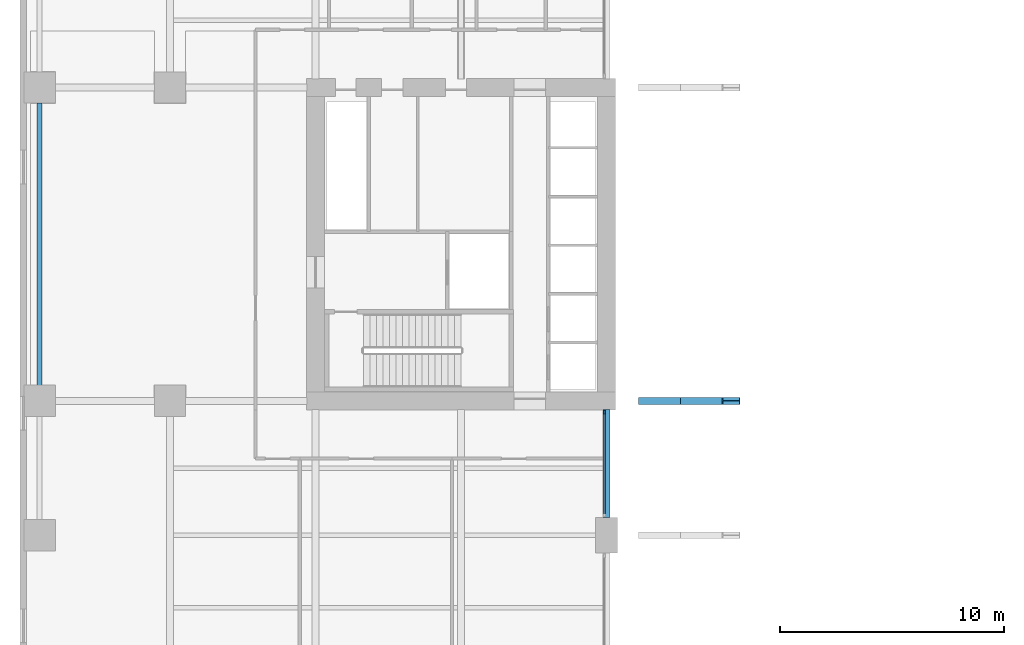
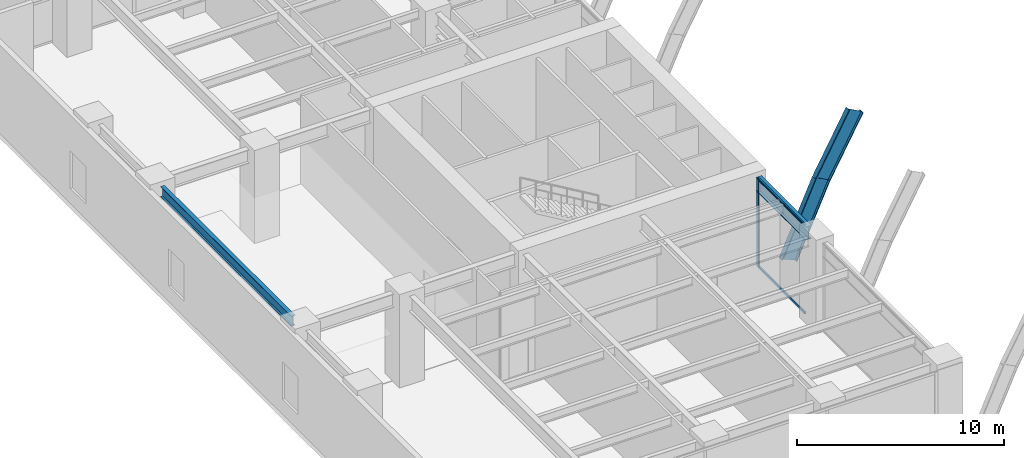
# One storey, part 3 of 17: 5 members, 2 beams, 1 element without a shape of its own.
"""IFC4 building model written with IfcOpenShell, lengths in metres."""

from ifc_helpers import new_model, si_unit, direction, frame, origin, origin_2d, place, context, subcontext, project, spatial, rectangle, i_section, extrude, material, layer, layer_set, material_profile, profile_set, type_object, element, aggregate, save


model = new_model("IFC4")

# Units and contexts
model_context = context("Model", 3, precision=1e-05, world=origin(), true_north=direction((0.0, 1.0)))
body_context = subcontext(model_context, "Body", "Model", "MODEL_VIEW")
ifc_project = project(units=[si_unit("LENGTHUNIT", "METRE"), si_unit("AREAUNIT", "SQUARE_METRE"), si_unit("VOLUMEUNIT", "CUBIC_METRE"), si_unit("PLANEANGLEUNIT", "RADIAN"), si_unit("MASSUNIT", "GRAM", prefix="KILO")], contexts=[model_context])

# Site, building, storey
site_placement = place(None, origin())
site = spatial("IfcSite", under=ifc_project, at=site_placement, CompositionType="ELEMENT")
building_placement = place(site_placement, origin())
building = spatial("IfcBuilding", under=site, at=building_placement, Name="Putna Gate Headquarters", CompositionType="ELEMENT")
storey_placement = place(building_placement, frame((0.0, 0.0, 6.0)))
storey = spatial("IfcBuildingStorey", under=building, at=storey_placement, Name="L01", CompositionType="ELEMENT", Elevation=6.0)

# Beams
ifc_material_1 = material(Name="Steel S355J2", Category="steel")
ifc_material_profile_1 = material_profile(ifc_material_1, i_section(OverallWidth=0.300048828125, OverallDepth=0.800048828125, WebThickness=0.017578125, FlangeThickness=0.032958984375, at=origin_2d()), Name="Steel S355J2")
ifc_profile_set_1 = profile_set([ifc_material_profile_1], Name="Steel S355J2")
beam_type_1 = type_object("IfcBeamType", Name="BM-GIRD-P-HEB800", PredefinedType="USERDEFINED", material=ifc_profile_set_1)
beam_1_placement = place(storey_placement, frame((26.0, 13.7880859375, 4.820068359375), z_axis=(0.0, 1.0, 0.0), x_axis=(-1.0, 0.0, 0.0)))
element("IfcBeam", 1, at=beam_1_placement, inside=storey, type_object=beam_type_1, Name="L01 South Primary Girder X26-2", ObjectType="GIRDER", PredefinedType="USERDEFINED", context=body_context, shape_type="SweptSolid", body=[
    extrude(i_section(OverallWidth=0.300048828125, OverallDepth=0.800048828125, WebThickness=0.017578125, FlangeThickness=0.032958984375, at=origin_2d()), origin(), (0.0, 0.0, 1.0), 4.826904296875),
])
ifc_material_profile_2 = material_profile(ifc_material_1, i_section(OverallWidth=0.219970703125, OverallDepth=0.60009765625, WebThickness=0.011962890625, FlangeThickness=0.01904296875, at=origin_2d()), Name="Steel S355J2")
ifc_profile_set_2 = profile_set([ifc_material_profile_2], Name="Steel S355J2")
beam_type_2 = type_object("IfcBeamType", Name="BM-SPAN-P-IPE600", PredefinedType="SPANDREL", material=ifc_profile_set_2)
beam_2_placement = place(storey_placement, frame((0.679931640625, 19.68798828125, 4.919921875), z_axis=(0.0, 1.0, 0.0), x_axis=(-1.0, 0.0, 0.0)))
element("IfcBeam", 2, at=beam_2_placement, inside=storey, type_object=beam_type_2, Name="L01 W End Spandrel 2", PredefinedType="SPANDREL", context=body_context, shape_type="SweptSolid", body=[
    extrude(i_section(OverallWidth=0.219970703125, OverallDepth=0.60009765625, WebThickness=0.011962890625, FlangeThickness=0.01904296875, at=origin_2d()), origin(), (0.0, 0.0, 1.0), 12.6240234375),
])

# Members
ifc_material_2 = material(Name="Steel S460M", Category="steel")
ifc_material_profile_3 = material_profile(ifc_material_2, i_section(OverallWidth=0.302001953125, OverallDepth=0.909912109375, WebThickness=0.02099609375, FlangeThickness=0.0400390625, at=origin_2d()), Name="Steel S460M")
ifc_profile_set_3 = profile_set([ifc_material_profile_3], Name="Steel S460M")
member_type_1 = type_object("IfcMemberType", Name="MEM-ARCH-CHORD-INT-HEM900", PredefinedType="STRUT", material=ifc_profile_set_3)
member_1_placement = place(storey_placement, frame((27.857177734375, 19.0, -0.568359375), z_axis=(0.41007102507, 0.0, 0.912053591845), x_axis=(0.0, 1.0, 0.0)))
element("IfcMember", 3, at=member_1_placement, inside=storey, type_object=member_type_1, Name="Giant Parabolic Arch Chord AS-2", PredefinedType="STRUT", context=body_context, shape_type="SweptSolid", body=[
    extrude(i_section(OverallWidth=0.302001953125, OverallDepth=0.909912109375, WebThickness=0.02099609375, FlangeThickness=0.0400390625, at=origin_2d()), origin(), (0.0, 0.0, 1.0), 4.52880859375),
])
member_2_placement = place(storey_placement, frame((29.71435546875, 19.0, 3.562255859375), z_axis=(0.48154685796, 0.0, 0.876420346403), x_axis=(0.0, 1.0, 0.0)))
element("IfcMember", 4, at=member_2_placement, inside=storey, type_object=member_type_1, Name="Giant Parabolic Arch Chord AS-3", PredefinedType="STRUT", context=body_context, shape_type="SweptSolid", body=[
    extrude(i_section(OverallWidth=0.302001953125, OverallDepth=0.909912109375, WebThickness=0.02099609375, FlangeThickness=0.0400390625, at=origin_2d()), origin(), (0.0, 0.0, 1.0), 3.856201171875),
])

# Curtain wall, members
ifc_material_3 = material(Name="Anodised bronze aluminium curtain wall", Category="aluminium")
ifc_layer = layer(ifc_material_3, 0.179931640625)
ifc_layer_set = layer_set([ifc_layer], Name="Anodised bronze aluminium curtain wall")
curtain_wall_type = type_object("IfcCurtainWallType", Name="CW-SYS-ATR", PredefinedType="USERDEFINED", material=ifc_layer_set)
curtain_wall_placement = place(storey_placement, origin())
curtain_wall = element("IfcCurtainWall", 5, at=curtain_wall_placement, inside=storey, type_object=curtain_wall_type, Name="L01 Arch Flank Glazing W-S2", ObjectType="ATRIUM GLAZING", PredefinedType="USERDEFINED")
ifc_material_4 = material(Name="Anodised bronze aluminium EN AW-6060", Category="aluminium")
ifc_material_profile_4 = material_profile(ifc_material_4, rectangle(XDim=0.070068359375, YDim=0.179931640625, at=origin_2d()), Name="Anodised bronze aluminium EN AW-6060")
ifc_profile_set_4 = profile_set([ifc_material_profile_4], Name="Anodised bronze aluminium EN AW-6060")
member_type_2 = type_object("IfcMemberType", Name="MULL-CWM-AT", PredefinedType="MULLION", material=ifc_profile_set_4)
member_3_placement = place(storey_placement, frame((25.89990234375, 18.485107421875, 0.0), z_axis=(0.0, 0.0, 1.0), x_axis=(-1.0, 0.0, 0.0)))
member_3 = element("IfcMember", 6, at=member_3_placement, type_object=member_type_2, Name="CWS-AT mullion 2", PredefinedType="MULLION", context=body_context, shape_type="SweptSolid", body=[
    extrude(rectangle(XDim=0.070068359375, YDim=0.179931640625, at=origin_2d()), origin(), (0.0, 0.0, 1.0), 5.219970703125),
])
ifc_material_profile_5 = material_profile(ifc_material_4, rectangle(XDim=0.070068359375, YDim=0.139892578125, at=origin_2d()), Name="Anodised bronze aluminium EN AW-6060")
ifc_profile_set_5 = profile_set([ifc_material_profile_5], Name="Anodised bronze aluminium EN AW-6060")
member_type_3 = type_object("IfcMemberType", Name="TRAN-CWT-AT", PredefinedType="USERDEFINED", material=ifc_profile_set_5)
member_4_placement = place(storey_placement, frame((25.89990234375, 13.949951171875, 0.034912109375), z_axis=(0.0, 1.0, 0.0), x_axis=(-1.0, 0.0, 0.0)))
member_4 = element("IfcMember", 7, at=member_4_placement, type_object=member_type_3, Name="CWS-AT transom 1.1", ObjectType="TRANSOM", PredefinedType="USERDEFINED", context=body_context, shape_type="SweptSolid", body=[
    extrude(rectangle(XDim=0.070068359375, YDim=0.139892578125, at=origin_2d()), origin(), (0.0, 0.0, 1.0), 4.5),
])
member_5_placement = place(storey_placement, frame((25.89990234375, 13.949951171875, 5.18505859375), z_axis=(0.0, 1.0, 0.0), x_axis=(-1.0, 0.0, 0.0)))
member_5 = element("IfcMember", 8, at=member_5_placement, type_object=member_type_3, Name="CWS-AT transom 1.2", ObjectType="TRANSOM", PredefinedType="USERDEFINED", context=body_context, shape_type="SweptSolid", body=[
    extrude(rectangle(XDim=0.070068359375, YDim=0.139892578125, at=origin_2d()), origin(), (0.0, 0.0, 1.0), 4.5),
])
aggregate(curtain_wall, [member_3, member_4, member_5])

save(model, "model.ifc")
